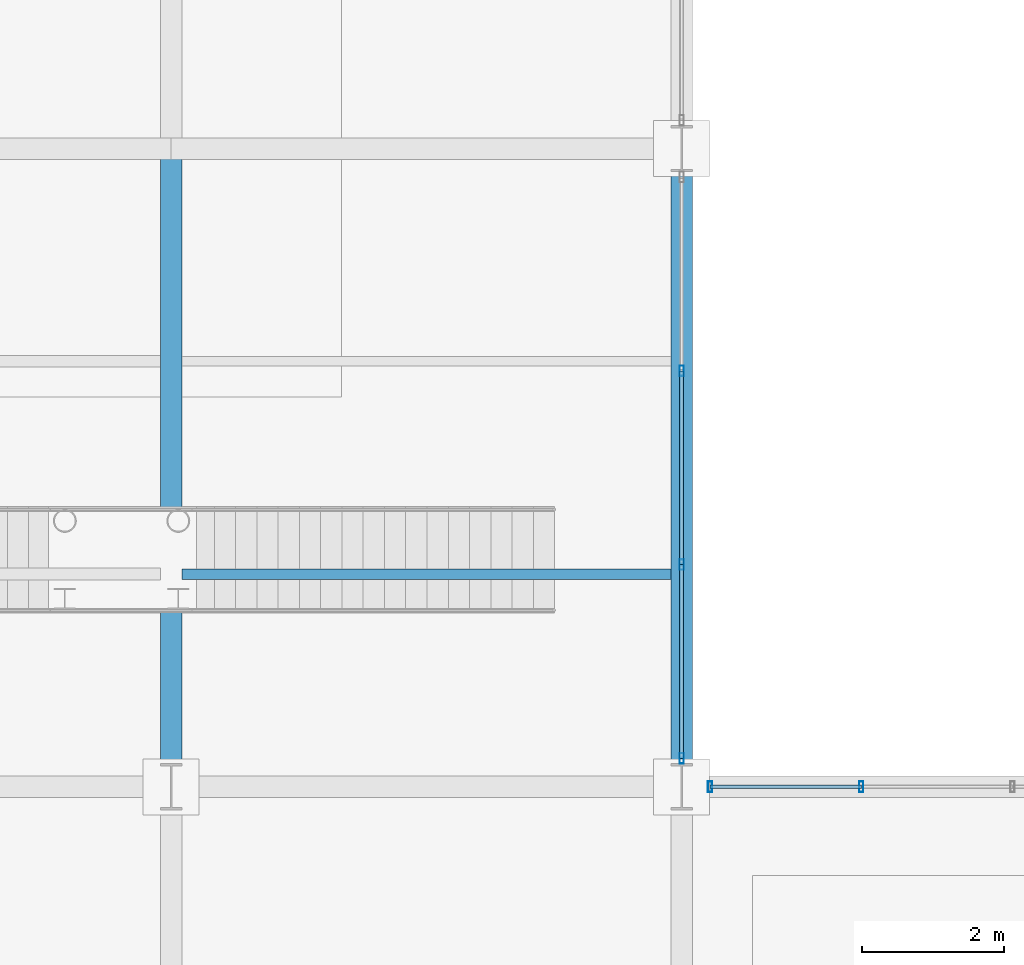
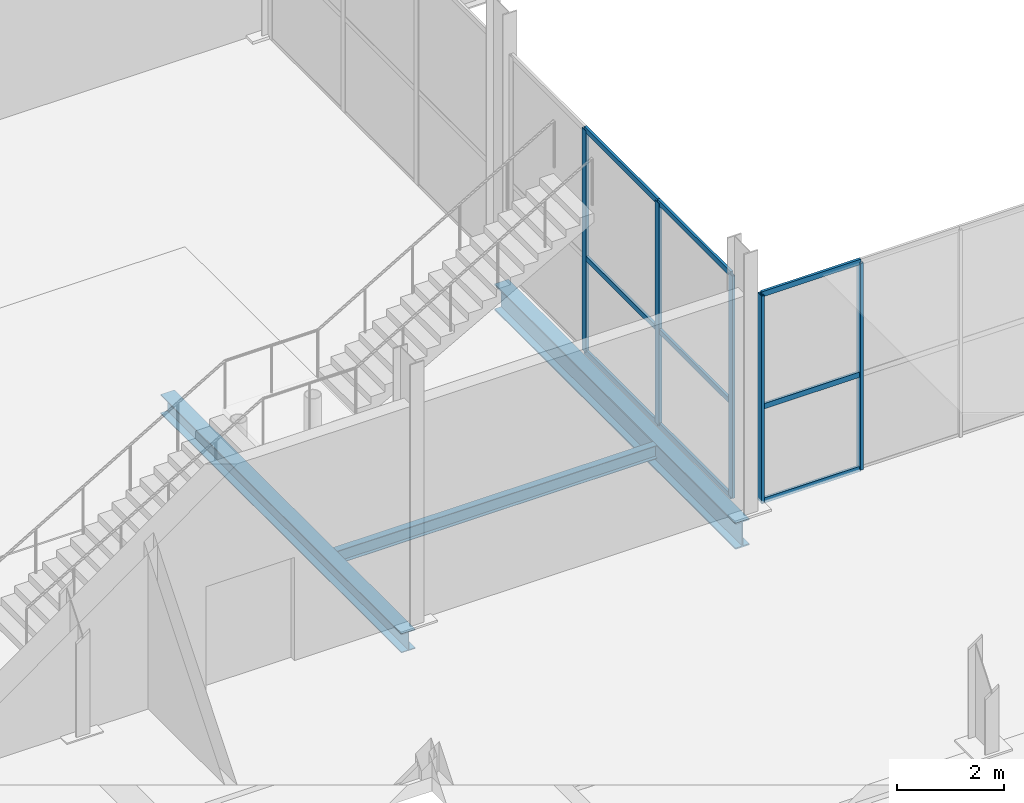
# One storey, part 46 of 144: 14 members, 3 beams, 2 elements without a shape of their own.
"""IFC4 building model written with IfcOpenShell, lengths in metres."""

from ifc_helpers import new_model, si_unit, direction, frame, origin, origin_2d, place, context, subcontext, project, spatial, hollow_rectangle, i_section, extrude, material, layer, layer_set, material_profile, profile_set, type_object, element, aggregate, save


model = new_model("IFC4")

# Units and contexts
model_context = context("Model", 3, precision=1e-05, world=origin(), true_north=direction((0.0, 1.0)))
body_context = subcontext(model_context, "Body", "Model", "MODEL_VIEW")
ifc_project = project(units=[si_unit("LENGTHUNIT", "METRE"), si_unit("AREAUNIT", "SQUARE_METRE"), si_unit("VOLUMEUNIT", "CUBIC_METRE"), si_unit("PLANEANGLEUNIT", "RADIAN"), si_unit("MASSUNIT", "GRAM", prefix="KILO")], contexts=[model_context])

# Site, building, storey
site_placement = place(None, origin())
site = spatial("IfcSite", under=ifc_project, at=site_placement, CompositionType="ELEMENT")
building_placement = place(site_placement, origin())
building = spatial("IfcBuilding", under=site, at=building_placement, Name="Sundgate Opera House", CompositionType="ELEMENT")
storey_placement = place(building_placement, origin())
storey = spatial("IfcBuildingStorey", under=building, at=storey_placement, Name="L00", CompositionType="ELEMENT", Elevation=0.0)

# Beams
ifc_material_1 = material(Name="Steel S355J2", Category="steel")
ifc_material_profile_1 = material_profile(ifc_material_1, i_section(OverallWidth=0.300048828125, OverallDepth=0.43994140625, WebThickness=0.011474609375, FlangeThickness=0.02099609375, at=origin_2d()), Name="HEA 450")
ifc_profile_set_1 = profile_set([ifc_material_profile_1], Name="Steel S355J2")
beam_type_1 = type_object("IfcBeamType", Name="BM-GR-HEA450", PredefinedType="BEAM", material=ifc_profile_set_1)
beam_1_placement = place(storey_placement, frame((109.800048828125, 42.0, -0.5400390625), z_axis=(0.0, 1.0, 0.0), x_axis=(-1.0, 0.0, 0.0)))
element("IfcBeam", 1, at=beam_1_placement, inside=storey, type_object=beam_type_1, Name="L00 Primary N-S Girder B0223", PredefinedType="BEAM", context=body_context, shape_type="SweptSolid", body=[
    extrude(i_section(OverallWidth=0.300048828125, OverallDepth=0.43994140625, WebThickness=0.011474609375, FlangeThickness=0.02099609375, at=origin_2d()), origin(), (0.0, 0.0, 1.0), 9.0),
])
ifc_material_2 = material(Name="Steel S355J2", Category="steel")
ifc_material_profile_2 = material_profile(ifc_material_2, i_section(OverallWidth=0.300048828125, OverallDepth=0.60009765625, WebThickness=0.015380859375, FlangeThickness=0.030029296875, at=origin_2d()), Name="HEB 600")
ifc_profile_set_2 = profile_set([ifc_material_profile_2], Name="Steel S355J2")
beam_type_2 = type_object("IfcBeamType", Name="BM-GR-HEB600", PredefinedType="BEAM", material=ifc_profile_set_2)
beam_2_placement = place(storey_placement, frame((117.0, 42.0, -0.6201171875), z_axis=(0.0, 1.0, 0.0), x_axis=(-1.0, 0.0, 0.0)))
element("IfcBeam", 2, at=beam_2_placement, inside=storey, type_object=beam_type_2, Name="L00 Primary N-S Girder B0237", PredefinedType="BEAM", context=body_context, shape_type="SweptSolid", body=[
    extrude(i_section(OverallWidth=0.300048828125, OverallDepth=0.60009765625, WebThickness=0.015380859375, FlangeThickness=0.030029296875, at=origin_2d()), origin(), (0.0, 0.0, 1.0), 9.0),
])
ifc_material_3 = material(Name="Steel S355J2", Category="steel")
ifc_material_profile_3 = material_profile(ifc_material_3, i_section(OverallWidth=0.14990234375, OverallDepth=0.300048828125, WebThickness=0.007080078125, FlangeThickness=0.0107421875, at=origin_2d()), Name="IPE 300")
ifc_profile_set_3 = profile_set([ifc_material_profile_3], Name="Steel S355J2")
beam_type_3 = type_object("IfcBeamType", Name="BM-JS-IPE300", PredefinedType="JOIST", material=ifc_profile_set_3)
beam_3_placement = place(storey_placement, frame((109.949951171875, 45.0, -0.469970703125), z_axis=(1.0, 0.0, 0.0), x_axis=(0.0, 1.0, 0.0)))
element("IfcBeam", 3, at=beam_3_placement, inside=storey, type_object=beam_type_3, Name="L00 Secondary Floor Joist B0767", PredefinedType="JOIST", context=body_context, shape_type="SweptSolid", body=[
    extrude(i_section(OverallWidth=0.14990234375, OverallDepth=0.300048828125, WebThickness=0.007080078125, FlangeThickness=0.0107421875, at=origin_2d()), origin(), (0.0, 0.0, 1.0), 6.900146484375),
])

# Curtain wall, members
ifc_material_4 = material(Name="Anodized aluminium and low-iron glass", Category="aluminium")
ifc_layer = layer(ifc_material_4, 0.159912109375)
ifc_layer_set = layer_set([ifc_layer], Name="Anodized aluminium and low-iron glass")
curtain_wall_type = type_object("IfcCurtainWallType", Name="CW-STUDIO-DARK", PredefinedType="NOTDEFINED", material=ifc_layer_set)
curtain_wall_1_placement = place(storey_placement, origin())
curtain_wall_1 = element("IfcCurtainWall", 4, at=curtain_wall_1_placement, inside=storey, type_object=curtain_wall_type, Name="L00 Curtain Wall CW034", PredefinedType="NOTDEFINED")
ifc_material_5 = material(Name="Anodized aluminium EN AW-6063", Category="aluminium")
ifc_material_profile_4 = material_profile(ifc_material_5, hollow_rectangle(XDim=0.06005859375, YDim=0.14990234375, WallThickness=0.00390625, at=origin_2d()), Name="CWM 150x60x4")
ifc_profile_set_4 = profile_set([ifc_material_profile_4], Name="Anodized aluminium EN AW-6063")
member_type_1 = type_object("IfcMemberType", Name="CWM-ALU-150x60", PredefinedType="MULLION", material=ifc_profile_set_4)
member_1_placement = place(storey_placement, frame((117.39990234375, 42.0, 0.0), z_axis=(0.0, 0.0, 1.0), x_axis=(1.0, 0.0, 0.0)))
member_1 = element("IfcMember", 5, at=member_1_placement, type_object=member_type_1, Name="CW034 Mullion 1", PredefinedType="MULLION", context=body_context, shape_type="SweptSolid", body=[
    extrude(hollow_rectangle(XDim=0.06005859375, YDim=0.14990234375, WallThickness=0.00390625, at=origin_2d()), origin(), (0.0, 0.0, 1.0), 4.715087890625),
])
member_2_placement = place(storey_placement, frame((119.533447265625, 42.0, 0.0), z_axis=(0.0, 0.0, 1.0), x_axis=(1.0, 0.0, 0.0)))
member_2 = element("IfcMember", 6, at=member_2_placement, type_object=member_type_1, Name="CW034 Mullion 2", PredefinedType="MULLION", context=body_context, shape_type="SweptSolid", body=[
    extrude(hollow_rectangle(XDim=0.06005859375, YDim=0.14990234375, WallThickness=0.00390625, at=origin_2d()), origin(), (0.0, 0.0, 1.0), 4.715087890625),
])

curtain_wall_2_placement = place(storey_placement, origin())
curtain_wall_2 = element("IfcCurtainWall", 7, at=curtain_wall_2_placement, inside=storey, type_object=curtain_wall_type, Name="L00 Curtain Wall CW040", PredefinedType="NOTDEFINED")
member_3_placement = place(storey_placement, frame((117.0, 42.39990234375, 0.0), z_axis=(0.0, 0.0, 1.0), x_axis=(1.0, 0.0, 0.0)))
member_3 = element("IfcMember", 8, at=member_3_placement, type_object=member_type_1, Name="CW040 Mullion 1", PredefinedType="MULLION", context=body_context, shape_type="SweptSolid", body=[
    extrude(hollow_rectangle(XDim=0.06005859375, YDim=0.14990234375, WallThickness=0.00390625, at=origin_2d()), origin(), (0.0, 0.0, 1.0), 5.06494140625),
])
member_4_placement = place(storey_placement, frame((117.0, 45.13330078125, 0.0), z_axis=(0.0, 0.0, 1.0), x_axis=(1.0, 0.0, 0.0)))
member_4 = element("IfcMember", 9, at=member_4_placement, type_object=member_type_1, Name="CW040 Mullion 2", PredefinedType="MULLION", context=body_context, shape_type="SweptSolid", body=[
    extrude(hollow_rectangle(XDim=0.06005859375, YDim=0.14990234375, WallThickness=0.00390625, at=origin_2d()), origin(), (0.0, 0.0, 1.0), 5.06494140625),
])
member_5_placement = place(storey_placement, frame((117.0, 47.86669921875, 0.0), z_axis=(0.0, 0.0, 1.0), x_axis=(1.0, 0.0, 0.0)))
member_5 = element("IfcMember", 10, at=member_5_placement, type_object=member_type_1, Name="CW040 Mullion 3", PredefinedType="MULLION", context=body_context, shape_type="SweptSolid", body=[
    extrude(hollow_rectangle(XDim=0.06005859375, YDim=0.14990234375, WallThickness=0.00390625, at=origin_2d()), origin(), (0.0, 0.0, 1.0), 5.06494140625),
])

# Member
ifc_material_6 = material(Name="Anodized aluminium EN AW-6063", Category="aluminium")
ifc_material_profile_5 = material_profile(ifc_material_6, hollow_rectangle(XDim=0.054931640625, YDim=0.1201171875, WallThickness=0.00390625, at=origin_2d()), Name="CWT 120x55x4")
ifc_profile_set_5 = profile_set([ifc_material_profile_5], Name="Anodized aluminium EN AW-6063")
member_type_2 = type_object("IfcMemberType", Name="CWT-ALU-120x55", PredefinedType="USERDEFINED", material=ifc_profile_set_5)
member_6_placement = place(storey_placement, frame((117.39990234375, 42.0, 0.0), z_axis=(1.0, 0.0, 0.0), x_axis=(0.0, 1.0, 0.0)))
member_6 = element("IfcMember", 11, at=member_6_placement, type_object=member_type_2, Name="CW034 Transom 1", ObjectType="TRANSOM", PredefinedType="USERDEFINED", context=body_context, shape_type="SweptSolid", body=[
    extrude(hollow_rectangle(XDim=0.054931640625, YDim=0.1201171875, WallThickness=0.00390625, at=origin_2d()), origin(), (0.0, 0.0, 1.0), 2.133544921875),
])

member_7_placement = place(storey_placement, frame((117.39990234375, 42.0, 2.14990234375), z_axis=(1.0, 0.0, 0.0), x_axis=(0.0, 1.0, 0.0)))
member_7 = element("IfcMember", 12, at=member_7_placement, type_object=member_type_2, Name="CW034 Transom 2", ObjectType="TRANSOM", PredefinedType="USERDEFINED", context=body_context, shape_type="SweptSolid", body=[
    extrude(hollow_rectangle(XDim=0.054931640625, YDim=0.1201171875, WallThickness=0.00390625, at=origin_2d()), origin(), (0.0, 0.0, 1.0), 2.133544921875),
])

member_8_placement = place(storey_placement, frame((117.39990234375, 42.0, 4.715087890625), z_axis=(1.0, 0.0, 0.0), x_axis=(0.0, 1.0, 0.0)))
member_8 = element("IfcMember", 13, at=member_8_placement, type_object=member_type_2, Name="CW034 Transom 3", ObjectType="TRANSOM", PredefinedType="USERDEFINED", context=body_context, shape_type="SweptSolid", body=[
    extrude(hollow_rectangle(XDim=0.054931640625, YDim=0.1201171875, WallThickness=0.00390625, at=origin_2d()), origin(), (0.0, 0.0, 1.0), 2.133544921875),
])

aggregate(curtain_wall_1, [member_1, member_2, member_6, member_7, member_8])

member_9_placement = place(storey_placement, frame((117.0, 42.39990234375, 0.0), z_axis=(0.0, 1.0, 0.0), x_axis=(-1.0, 0.0, 0.0)))
member_9 = element("IfcMember", 14, at=member_9_placement, type_object=member_type_2, Name="CW040 Transom 1", ObjectType="TRANSOM", PredefinedType="USERDEFINED", context=body_context, shape_type="SweptSolid", body=[
    extrude(hollow_rectangle(XDim=0.054931640625, YDim=0.1201171875, WallThickness=0.00390625, at=origin_2d()), origin(), (0.0, 0.0, 1.0), 2.7333984375),
])

member_10_placement = place(storey_placement, frame((117.0, 42.39990234375, 2.14990234375), z_axis=(0.0, 1.0, 0.0), x_axis=(-1.0, 0.0, 0.0)))
member_10 = element("IfcMember", 15, at=member_10_placement, type_object=member_type_2, Name="CW040 Transom 2", ObjectType="TRANSOM", PredefinedType="USERDEFINED", context=body_context, shape_type="SweptSolid", body=[
    extrude(hollow_rectangle(XDim=0.054931640625, YDim=0.1201171875, WallThickness=0.00390625, at=origin_2d()), origin(), (0.0, 0.0, 1.0), 2.7333984375),
])

member_11_placement = place(storey_placement, frame((117.0, 42.39990234375, 5.06494140625), z_axis=(0.0, 1.0, 0.0), x_axis=(-1.0, 0.0, 0.0)))
member_11 = element("IfcMember", 16, at=member_11_placement, type_object=member_type_2, Name="CW040 Transom 3", ObjectType="TRANSOM", PredefinedType="USERDEFINED", context=body_context, shape_type="SweptSolid", body=[
    extrude(hollow_rectangle(XDim=0.054931640625, YDim=0.1201171875, WallThickness=0.00390625, at=origin_2d()), origin(), (0.0, 0.0, 1.0), 2.7333984375),
])

member_12_placement = place(storey_placement, frame((117.0, 45.13330078125, 0.0), z_axis=(0.0, 1.0, 0.0), x_axis=(-1.0, 0.0, 0.0)))
member_12 = element("IfcMember", 17, at=member_12_placement, type_object=member_type_2, Name="CW040 Transom 4", ObjectType="TRANSOM", PredefinedType="USERDEFINED", context=body_context, shape_type="SweptSolid", body=[
    extrude(hollow_rectangle(XDim=0.054931640625, YDim=0.1201171875, WallThickness=0.00390625, at=origin_2d()), origin(), (0.0, 0.0, 1.0), 2.7333984375),
])

member_13_placement = place(storey_placement, frame((117.0, 45.13330078125, 2.14990234375), z_axis=(0.0, 1.0, 0.0), x_axis=(-1.0, 0.0, 0.0)))
member_13 = element("IfcMember", 18, at=member_13_placement, type_object=member_type_2, Name="CW040 Transom 5", ObjectType="TRANSOM", PredefinedType="USERDEFINED", context=body_context, shape_type="SweptSolid", body=[
    extrude(hollow_rectangle(XDim=0.054931640625, YDim=0.1201171875, WallThickness=0.00390625, at=origin_2d()), origin(), (0.0, 0.0, 1.0), 2.7333984375),
])

member_14_placement = place(storey_placement, frame((117.0, 45.13330078125, 5.06494140625), z_axis=(0.0, 1.0, 0.0), x_axis=(-1.0, 0.0, 0.0)))
member_14 = element("IfcMember", 19, at=member_14_placement, type_object=member_type_2, Name="CW040 Transom 6", ObjectType="TRANSOM", PredefinedType="USERDEFINED", context=body_context, shape_type="SweptSolid", body=[
    extrude(hollow_rectangle(XDim=0.054931640625, YDim=0.1201171875, WallThickness=0.00390625, at=origin_2d()), origin(), (0.0, 0.0, 1.0), 2.7333984375),
])

aggregate(curtain_wall_2, [member_3, member_4, member_5, member_9, member_10, member_11, member_12, member_13, member_14])

save(model, "model.ifc")
